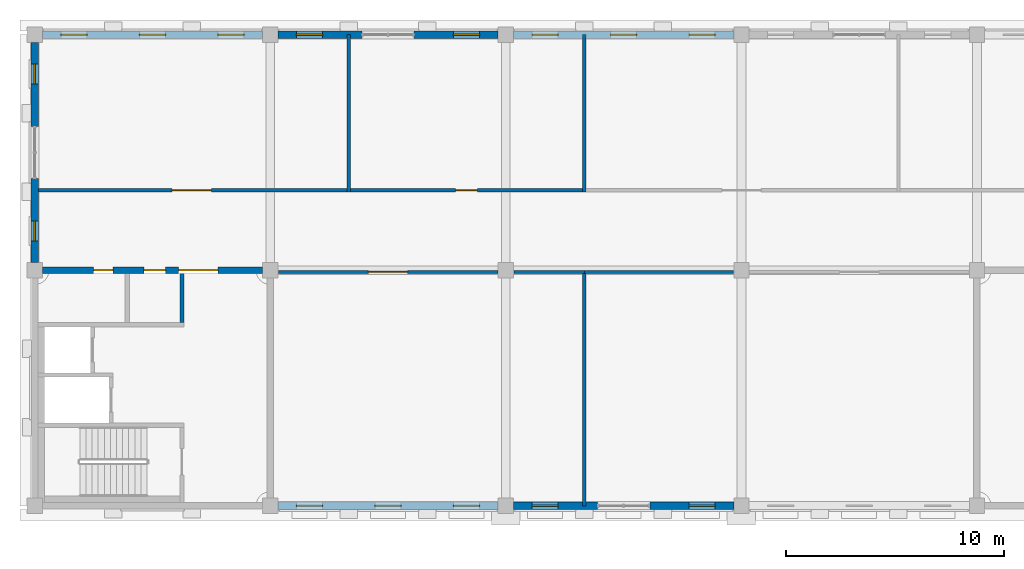
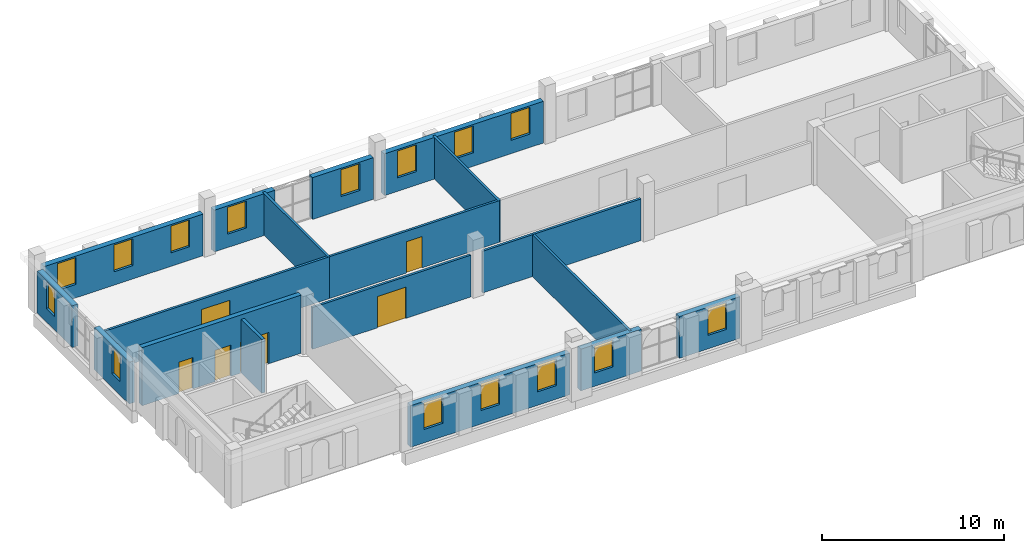
# One storey, part 8 of 17: 19 walls, 15 windows, 6 doors, 21 openings.
"""IFC4 building model written with IfcOpenShell, lengths in metres."""

import ifcopenshell
import ifcopenshell.guid

model = None  # the IFC model being written
_history = None  # IfcOwnerHistory: only IFC2X3 demands one
_inside = {}  # id of a spatial element -> (the spatial element, [elements in it])
_under = {}  # id of a project, library or spatial element -> (it, [spatial elements below it])
_declared = {}  # id of a project -> (the project, [libraries it declares])
_typed = {}  # id of a type object -> (the type object, [elements of that type])
_made_of = {}  # id of a material, layer set ... -> (it, [elements and type objects made of it])


def new_model(schema):
    """Start an empty IFC model of exactly this schema.

    Asked for "IFC4X3", IfcOpenShell would pick the latest addendum, in which some entities
    have other attributes; the version numbers below select the first issue.
    IFC2X3 requires an IfcOwnerHistory on every rooted entity: one is made here for all.
    """
    global model, _history
    if schema == "IFC4X3":
        model = ifcopenshell.file(schema_version=(4, 3, 0, 0))
    else:
        model = ifcopenshell.file(schema=schema)
    _inside.clear()
    _under.clear()
    _declared.clear()
    _typed.clear()
    _made_of.clear()
    _history = None
    if model.schema == "IFC2X3":
        org = make("IfcOrganization", Name="unknown")
        user = make(
            "IfcPersonAndOrganization",
            ThePerson=make("IfcPerson", FamilyName="unknown"),
            TheOrganization=org,
        )
        app = make(
            "IfcApplication",
            ApplicationDeveloper=org,
            Version="unknown",
            ApplicationFullName="unknown",
            ApplicationIdentifier="unknown",
        )
        _history = make(
            "IfcOwnerHistory",
            OwningUser=user,
            OwningApplication=app,
            ChangeAction="ADDED",
            CreationDate=0,
        )
    return model


def make(cls, **values):
    """One entity of the class cls with the attributes given. An attribute that is None is left unset."""
    return model.create_entity(
        cls, **{name: value for name, value in values.items() if value is not None}
    )


def rooted(cls, **values):
    """An entity with a GlobalId (a new one), such as an element, a storey or a relation."""
    return make(cls, GlobalId=ifcopenshell.guid.new(), OwnerHistory=_history, **values)


def si_unit(unit_type, name, prefix=None):
    """IfcSIUnit, for example si_unit("LENGTHUNIT", "METRE", prefix="MILLI")."""
    return make("IfcSIUnit", UnitType=unit_type, Prefix=prefix, Name=name)


def assignment(units):
    """IfcUnitAssignment: the units of a project."""
    return None if units is None else make("IfcUnitAssignment", Units=units)


def point(xyz):
    """IfcCartesianPoint."""
    return None if xyz is None else make("IfcCartesianPoint", Coordinates=xyz)


def direction(xyz):
    """IfcDirection."""
    return None if xyz is None else make("IfcDirection", DirectionRatios=xyz)


def frame(location, z_axis=None, x_axis=None):
    """IfcAxis2Placement3D, a coordinate frame: its origin and axes. An axis left out is left unset."""
    return make(
        "IfcAxis2Placement3D",
        Location=point(location),
        Axis=direction(z_axis),
        RefDirection=direction(x_axis),
    )


def frame_2d(location, x_axis=None):
    """IfcAxis2Placement2D, a coordinate frame in the plane: its origin and x axis."""
    return make(
        "IfcAxis2Placement2D", Location=point(location), RefDirection=direction(x_axis)
    )


def origin():
    """The frame at (0, 0, 0) with its axes left unset."""
    return frame((0.0, 0.0, 0.0))


def place(relative_to, where):
    """IfcLocalPlacement: puts the frame where relative to a parent placement (None: the world)."""
    return make(
        "IfcLocalPlacement", PlacementRelTo=relative_to, RelativePlacement=where
    )


def context(
    kind, dimensions, precision=None, world=None, true_north=None, identifier=None
):
    """IfcGeometricRepresentationContext, for example the 3D "Model" context."""
    return make(
        "IfcGeometricRepresentationContext",
        ContextIdentifier=identifier,
        ContextType=kind,
        CoordinateSpaceDimension=dimensions,
        Precision=precision,
        WorldCoordinateSystem=world,
        TrueNorth=true_north,
    )


def subcontext(parent, identifier, kind, view, scale=None):
    """IfcGeometricRepresentationSubContext, for example "Body" below "Model"."""
    return make(
        "IfcGeometricRepresentationSubContext",
        ContextIdentifier=identifier,
        ContextType=kind,
        ParentContext=parent,
        TargetScale=scale,
        TargetView=view,
    )


def project(units=None, contexts=None):
    """IfcProject with its units and contexts."""
    return rooted(
        "IfcProject",
        Name="project",
        RepresentationContexts=contexts,
        UnitsInContext=assignment(units),
    )


def spatial(cls, under=None, at=None, **own):
    """A site, building, storey or space (cls), placed at a placement, below another one or the project."""
    s = rooted(cls, ObjectPlacement=at, **own)
    if under is not None:
        _under.setdefault(under.id(), (under, []))[1].append(s)
    return s


def profile(cls, at=None, kind="AREA", **sizes):
    """A parametric profile (cls). Its sizes go by their IFC names, for example OverallWidth=200.0."""
    return make(cls, ProfileType=kind, Position=at, **sizes)


def rectangle(**sizes):
    """IfcRectangleProfileDef."""
    return profile("IfcRectangleProfileDef", **sizes)


def extrude(swept, where, along, depth):
    """IfcExtrudedAreaSolid: the profile swept, set in the frame where, extruded along a direction by depth."""
    return make(
        "IfcExtrudedAreaSolid",
        SweptArea=swept,
        Position=where,
        ExtrudedDirection=direction(along),
        Depth=depth,
    )


def shape(context_of_items, identifier, shape_type, items):
    """IfcShapeRepresentation: the items that make up one representation, for example the "Body"."""
    return make(
        "IfcShapeRepresentation",
        ContextOfItems=context_of_items,
        RepresentationIdentifier=identifier,
        RepresentationType=shape_type,
        Items=items,
    )


def material(Name=None, Category=None):
    """IfcMaterial."""
    return make("IfcMaterial", Name=Name, Category=Category)


def layer(
    of_material, thickness, ventilated=None, Name=None, Category=None, Priority=None
):
    """IfcMaterialLayer: one layer of a wall or slab, of a material (None: an air gap)."""
    return make(
        "IfcMaterialLayer",
        Material=of_material,
        LayerThickness=thickness,
        IsVentilated=ventilated,
        Name=Name,
        Category=Category,
        Priority=Priority,
    )


def layer_set(layers, Name=None):
    """IfcMaterialLayerSet."""
    return make("IfcMaterialLayerSet", MaterialLayers=layers, LayerSetName=Name)


def made_of(thing, what):
    """Note that an element or type object is made of a material, layer set ...; save() writes the relation."""
    if what is not None:
        _made_of.setdefault(what.id(), (what, []))[1].append(thing)
    return thing


def type_object(cls, material=None, **own):
    """A type object (cls), such as IfcWallType, which elements share."""
    return made_of(rooted(cls, **own), material)


def element(
    cls,
    number,
    at=None,
    inside=None,
    cuts=None,
    type_object=None,
    material=None,
    context=None,
    identifier="Body",
    shape_type=None,
    held_by="IfcProductDefinitionShape",
    body=None,
    shapes=None,
    **own,
):
    """One element of the class cls, such as IfcWall. Its Tag is "e" and its number.

    at: its placement. inside: the storey or other place that contains it. cuts: it is an
    opening in that element (IfcRelVoidsElement). A single representation is given by context,
    identifier, shape_type and body (its items); several are given by shapes. held_by: the class
    of the entity that holds the representations. save() writes the other relations.
    """
    e = rooted(cls, Tag="e%d" % number, ObjectPlacement=at, **own)
    if body is not None:
        shapes = [shape(context, identifier, shape_type, body)]
    if shapes is not None:
        e.Representation = make(held_by, Representations=shapes)
    if inside is not None:
        _inside.setdefault(inside.id(), (inside, []))[1].append(e)
    if cuts is not None:
        rooted(
            "IfcRelVoidsElement", RelatingBuildingElement=cuts, RelatedOpeningElement=e
        )
    if type_object is not None:
        _typed.setdefault(type_object.id(), (type_object, []))[1].append(e)
    return made_of(e, material)


def fill(opening, filler):
    """IfcRelFillsElement: the door or window that sits in an opening."""
    return rooted(
        "IfcRelFillsElement",
        RelatingOpeningElement=opening,
        RelatedBuildingElement=filler,
    )


def aggregate(whole, parts):
    """IfcRelAggregates: a whole, such as a stair, and the parts it consists of."""
    return rooted("IfcRelAggregates", RelatingObject=whole, RelatedObjects=parts)


def save(model, path):
    """Write the relations noted so far, then the file.

    IfcRelAggregates (storeys below a building ...), IfcRelContainedInSpatialStructure (elements
    in a storey), IfcRelDefinesByType, IfcRelAssociatesMaterial and IfcRelDeclares: one each for
    every whole, place, type object, material and project.
    """
    for whole, parts in _under.values():
        aggregate(whole, parts)
    for where, things in _inside.values():
        rooted(
            "IfcRelContainedInSpatialStructure",
            RelatedElements=things,
            RelatingStructure=where,
        )
    for kind, things in _typed.values():
        rooted("IfcRelDefinesByType", RelatedObjects=things, RelatingType=kind)
    for what, things in _made_of.values():
        rooted("IfcRelAssociatesMaterial", RelatedObjects=things, RelatingMaterial=what)
    for by, libraries in _declared.values():
        rooted("IfcRelDeclares", RelatingContext=by, RelatedDefinitions=libraries)
    model.write(path)


model = new_model("IFC4")

# Units and contexts
model_context = context("Model", 3, precision=1e-05, world=origin(), true_north=direction((0.0, 1.0)))
body_context = subcontext(model_context, "Body", "Model", "MODEL_VIEW")
ifc_project = project(units=[si_unit("LENGTHUNIT", "METRE"), si_unit("AREAUNIT", "SQUARE_METRE"), si_unit("VOLUMEUNIT", "CUBIC_METRE"), si_unit("PLANEANGLEUNIT", "RADIAN"), si_unit("MASSUNIT", "GRAM", prefix="KILO")], contexts=[model_context])

# Site, building, storey
site_placement = place(None, origin())
site = spatial("IfcSite", under=ifc_project, at=site_placement, CompositionType="ELEMENT")
building_placement = place(site_placement, origin())
building = spatial("IfcBuilding", under=site, at=building_placement, Name="Magnolia Steps Interchange", CompositionType="ELEMENT")
storey_placement = place(building_placement, frame((0.0, 0.0, 20.39990234375)))
storey = spatial("IfcBuildingStorey", under=building, at=storey_placement, Name="L05", CompositionType="ELEMENT", Elevation=20.39990234375)

# Wall
ifc_material_1 = material(Name="Concrete C35", Category="concrete")
ifc_layer_1 = layer(ifc_material_1, 0.199951171875)
ifc_layer_set_1 = layer_set([ifc_layer_1], Name="Core enclosure wall 200")
wall_type_1 = type_object("IfcWallType", Name="Core enclosure wall 200", PredefinedType="SOLIDWALL", material=ifc_layer_set_1)
wall_1_placement = place(storey_placement, frame((70.75, 104.800048828125, 0.0), z_axis=(0.0, 0.0, 1.0), x_axis=(0.0, 1.0, 0.0)))
element("IfcWall", 1, at=wall_1_placement, inside=storey, type_object=wall_type_1, Name="L05 OC-W enclosure wall", PredefinedType="SOLIDWALL", context=body_context, shape_type="SweptSolid", body=[
    extrude(rectangle(XDim=2.25, YDim=0.199951171875, at=frame_2d((1.125, 0.0))), origin(), (0.0, 0.0, 1.0), 3.60009765625),
])

# Wall, openings, doors
ifc_material_2 = material(Name="Concrete C40", Category="concrete")
ifc_layer_2 = layer(ifc_material_2, 0.300048828125)
ifc_layer_set_2 = layer_set([ifc_layer_2], Name="Core wall 300")
wall_type_2 = type_object("IfcWallType", Name="Core wall 300", PredefinedType="SOLIDWALL", material=ifc_layer_set_2)
wall_2_placement = place(storey_placement, frame((74.449951171875, 107.199951171875, 0.0), z_axis=(0.0, 0.0, 1.0), x_axis=(-1.0, 0.0, 0.0)))
wall_2 = element("IfcWall", 2, at=wall_2_placement, inside=storey, type_object=wall_type_2, Name="Core wall OC-W", PredefinedType="SOLIDWALL", context=body_context, shape_type="SweptSolid", body=[
    extrude(rectangle(XDim=10.099853515625, YDim=0.300048828125, at=frame_2d((5.0498046875, 0.0))), origin(), (0.0, 0.0, 1.0), 3.900146484375),
])
opening_1_placement = place(wall_2_placement, frame((2.050048828125, 0.0, 0.0)))
opening_1 = element("IfcOpeningElement", 3, at=opening_1_placement, cuts=wall_2, Name="Opening D-OC-W-L05-2", PredefinedType="OPENING", context=body_context, shape_type="SweptSolid", body=[
    extrude(rectangle(XDim=1.800048828125, YDim=2.10009765625, at=frame_2d((0.89990234375, 1.050048828125))), frame((0.0, 0.159912109375, 0.0), z_axis=(0.0, -1.0, 0.0), x_axis=(1.0, 0.0, 0.0)), (0.0, 0.0, 1.0), 0.320068359375),
])
opening_2_placement = place(wall_2_placement, frame((4.449951171875, 0.0, 0.0)))
opening_2 = element("IfcOpeningElement", 4, at=opening_2_placement, cuts=wall_2, Name="Opening D-OC-W-L05-3", PredefinedType="OPENING", context=body_context, shape_type="SweptSolid", body=[
    extrude(rectangle(XDim=1.0, YDim=2.10009765625, at=frame_2d((0.5, 1.050048828125))), frame((0.0, 0.159912109375, 0.0), z_axis=(0.0, -1.0, 0.0), x_axis=(1.0, 0.0, 0.0)), (0.0, 0.0, 1.0), 0.320068359375),
])
opening_3_placement = place(wall_2_placement, frame((6.85009765625, 0.0, 0.0)))
opening_3 = element("IfcOpeningElement", 5, at=opening_3_placement, cuts=wall_2, Name="Opening D-OC-W-L05-4", PredefinedType="OPENING", context=body_context, shape_type="SweptSolid", body=[
    extrude(rectangle(XDim=0.89990234375, YDim=2.10009765625, at=frame_2d((0.449951171875, 1.050048828125))), frame((0.0, 0.159912109375, 0.0), z_axis=(0.0, -1.0, 0.0), x_axis=(1.0, 0.0, 0.0)), (0.0, 0.0, 1.0), 0.320068359375),
])
ifc_material_3 = material(Name="Timber", Category="wood")
door_type_1 = type_object("IfcDoorType", Name="Accessible toilet door 1000x2100", OperationType="NOTDEFINED", PredefinedType="DOOR", material=ifc_material_3)
door_1_placement = place(opening_2_placement, origin())
door_1 = element("IfcDoor", 6, at=door_1_placement, inside=storey, type_object=door_type_1, Name="Accessible Toilet door OC-W L05", OperationType="SINGLE_SWING_LEFT", OverallHeight=2.10009765625, OverallWidth=1.0, PredefinedType="DOOR", context=body_context, shape_type="SweptSolid", body=[
    extrude(rectangle(XDim=1.0, YDim=2.10009765625, at=frame_2d((0.5, 1.050048828125))), frame((0.0, 0.02490234375, 0.0), z_axis=(0.0, -1.0, 0.0), x_axis=(1.0, 0.0, 0.0)), (0.0, 0.0, 1.0), 0.050048828125),
])
fill(opening_2, door_1)
ifc_material_4 = material(Name="Timber and glass", Category="wood")
door_type_2 = type_object("IfcDoorType", Name="Core entrance door pair 1800x2100", OperationType="DOUBLE_DOOR_DOUBLE_SWING", PredefinedType="DOOR", material=ifc_material_4)
door_2_placement = place(opening_1_placement, frame((1.800048828125, 0.0, 0.0), z_axis=(0.0, 0.0, 1.0), x_axis=(-1.0, 0.0, 0.0)))
door_2 = element("IfcDoor", 7, at=door_2_placement, inside=storey, type_object=door_type_2, Name="Core entrance door OC-W L05", OperationType="DOUBLE_DOOR_DOUBLE_SWING", OverallHeight=2.10009765625, OverallWidth=1.800048828125, PredefinedType="DOOR", context=body_context, shape_type="SweptSolid", body=[
    extrude(rectangle(XDim=1.800048828125, YDim=2.10009765625, at=frame_2d((0.89990234375, 1.050048828125))), frame((0.0, 0.02490234375, 0.0), z_axis=(0.0, -1.0, 0.0), x_axis=(1.0, 0.0, 0.0)), (0.0, 0.0, 1.0), 0.050048828125),
])
fill(opening_1, door_2)
ifc_material_5 = material(Name="Timber", Category="wood")
door_type_3 = type_object("IfcDoorType", Name="Toilet door 900x2100", OperationType="NOTDEFINED", PredefinedType="DOOR", material=ifc_material_5)
door_3_placement = place(opening_3_placement, origin())
door_3 = element("IfcDoor", 8, at=door_3_placement, inside=storey, type_object=door_type_3, Name="Public Toilets door OC-W L05", OperationType="SINGLE_SWING_RIGHT", OverallHeight=2.10009765625, OverallWidth=0.89990234375, PredefinedType="DOOR", context=body_context, shape_type="SweptSolid", body=[
    extrude(rectangle(XDim=0.89990234375, YDim=2.10009765625, at=frame_2d((0.449951171875, 1.050048828125))), frame((0.0, 0.02490234375, 0.0), z_axis=(0.0, -1.0, 0.0), x_axis=(1.0, 0.0, 0.0)), (0.0, 0.0, 1.0), 0.050048828125),
])
fill(opening_3, door_3)

# Wall, openings, windows
ifc_material_6 = material(Name="Lime render on masonry", Category="masonry")
ifc_layer_3 = layer(ifc_material_6, 0.35009765625)
ifc_layer_set_3 = layer_set([ifc_layer_3], Name="Lime render wall 350")
wall_type_3 = type_object("IfcWallType", Name="Lime render wall 350", PredefinedType="SOLIDWALL", material=ifc_layer_set_3)
wall_3_placement = place(storey_placement, frame((75.14990234375, 96.39990234375, 0.0), z_axis=(0.0, 0.0, 1.0), x_axis=(1.0, 0.0, 0.0)))
wall_3 = element("IfcWall", 9, at=wall_3_placement, inside=storey, type_object=wall_type_3, Name="Operations building south wall L05 pier 1", PredefinedType="SOLIDWALL", context=body_context, shape_type="SweptSolid", body=[
    extrude(rectangle(XDim=10.10009765625, YDim=0.35009765625, at=frame_2d((5.050048828125, 0.0))), origin(), (0.0, 0.0, 1.0), 2.800048828125),
])
opening_4_placement = place(wall_3_placement, frame((0.85009765625, 0.0, 0.89990234375)))
opening_4 = element("IfcOpeningElement", 10, at=opening_4_placement, cuts=wall_3, Name="Opening WN9", PredefinedType="OPENING", context=body_context, shape_type="SweptSolid", body=[
    extrude(rectangle(XDim=1.199951171875, YDim=1.800048828125, at=frame_2d((0.60009765625, 0.89990234375))), frame((0.0, 0.18505859375, 0.0), z_axis=(0.0, -1.0, 0.0), x_axis=(1.0, 0.0, 0.0)), (0.0, 0.0, 1.0), 0.3701171875),
])
opening_5_placement = place(wall_3_placement, frame((4.449951171875, 0.0, 0.89990234375)))
opening_5 = element("IfcOpeningElement", 11, at=opening_5_placement, cuts=wall_3, Name="Opening WN9", PredefinedType="OPENING", context=body_context, shape_type="SweptSolid", body=[
    extrude(rectangle(XDim=1.199951171875, YDim=1.800048828125, at=frame_2d((0.60009765625, 0.89990234375))), frame((0.0, 0.18505859375, 0.0), z_axis=(0.0, -1.0, 0.0), x_axis=(1.0, 0.0, 0.0)), (0.0, 0.0, 1.0), 0.3701171875),
])
opening_6_placement = place(wall_3_placement, frame((8.050048828125, 0.0, 0.89990234375)))
opening_6 = element("IfcOpeningElement", 12, at=opening_6_placement, cuts=wall_3, Name="Opening WN9", PredefinedType="OPENING", context=body_context, shape_type="SweptSolid", body=[
    extrude(rectangle(XDim=1.199951171875, YDim=1.800048828125, at=frame_2d((0.60009765625, 0.89990234375))), frame((0.0, 0.18505859375, 0.0), z_axis=(0.0, -1.0, 0.0), x_axis=(1.0, 0.0, 0.0)), (0.0, 0.0, 1.0), 0.3701171875),
])
ifc_material_7 = material(Name="Timber frame with double glazing", Category="wood")
window_type_1 = type_object("IfcWindowType", Name="Casement window 1200 x 1800", PartitioningType="DOUBLE_PANEL_VERTICAL", PredefinedType="WINDOW", material=ifc_material_7)
window_1_placement = place(opening_4_placement, origin())
window_1 = element("IfcWindow", 13, at=window_1_placement, inside=storey, type_object=window_type_1, Name="Window L05 south 1", OverallHeight=1.800048828125, OverallWidth=1.199951171875, PartitioningType="SINGLE_PANEL", PredefinedType="WINDOW", context=body_context, shape_type="SweptSolid", body=[
    extrude(rectangle(XDim=1.199951171875, YDim=1.800048828125, at=frame_2d((0.60009765625, 0.89990234375))), frame((0.0, 0.030029296875, 0.0), z_axis=(0.0, -1.0, 0.0), x_axis=(1.0, 0.0, 0.0)), (0.0, 0.0, 1.0), 0.06005859375),
])
fill(opening_4, window_1)
window_2_placement = place(opening_5_placement, origin())
window_2 = element("IfcWindow", 14, at=window_2_placement, inside=storey, type_object=window_type_1, Name="Window L05 south 2", OverallHeight=1.800048828125, OverallWidth=1.199951171875, PartitioningType="SINGLE_PANEL", PredefinedType="WINDOW", context=body_context, shape_type="SweptSolid", body=[
    extrude(rectangle(XDim=1.199951171875, YDim=1.800048828125, at=frame_2d((0.60009765625, 0.89990234375))), frame((0.0, 0.030029296875, 0.0), z_axis=(0.0, -1.0, 0.0), x_axis=(1.0, 0.0, 0.0)), (0.0, 0.0, 1.0), 0.06005859375),
])
fill(opening_5, window_2)
window_3_placement = place(opening_6_placement, origin())
window_3 = element("IfcWindow", 15, at=window_3_placement, inside=storey, type_object=window_type_1, Name="Window L05 south 3", OverallHeight=1.800048828125, OverallWidth=1.199951171875, PartitioningType="SINGLE_PANEL", PredefinedType="WINDOW", context=body_context, shape_type="SweptSolid", body=[
    extrude(rectangle(XDim=1.199951171875, YDim=1.800048828125, at=frame_2d((0.60009765625, 0.89990234375))), frame((0.0, 0.030029296875, 0.0), z_axis=(0.0, -1.0, 0.0), x_axis=(1.0, 0.0, 0.0)), (0.0, 0.0, 1.0), 0.06005859375),
])
fill(opening_6, window_3)

# Wall, opening, window
wall_4_placement = place(storey_placement, frame((85.949951171875, 96.39990234375, 0.0), z_axis=(0.0, 0.0, 1.0), x_axis=(1.0, 0.0, 0.0)))
wall_4 = element("IfcWall", 16, at=wall_4_placement, inside=storey, type_object=wall_type_3, Name="Operations building south wall L05 pier 1", PredefinedType="SOLIDWALL", context=body_context, shape_type="SweptSolid", body=[
    extrude(rectangle(XDim=3.85009765625, YDim=0.35009765625, at=frame_2d((1.925048828125, 0.0))), origin(), (0.0, 0.0, 1.0), 2.800048828125),
])
opening_7_placement = place(wall_4_placement, frame((0.85009765625, 0.0, 0.89990234375)))
opening_7 = element("IfcOpeningElement", 17, at=opening_7_placement, cuts=wall_4, Name="Opening WN9", PredefinedType="OPENING", context=body_context, shape_type="SweptSolid", body=[
    extrude(rectangle(XDim=1.199951171875, YDim=1.800048828125, at=frame_2d((0.60009765625, 0.89990234375))), frame((0.0, 0.18505859375, 0.0), z_axis=(0.0, -1.0, 0.0), x_axis=(1.0, 0.0, 0.0)), (0.0, 0.0, 1.0), 0.3701171875),
])
window_4_placement = place(opening_7_placement, origin())
window_4 = element("IfcWindow", 18, at=window_4_placement, inside=storey, type_object=window_type_1, Name="Window L05 south 4", OverallHeight=1.800048828125, OverallWidth=1.199951171875, PartitioningType="SINGLE_PANEL", PredefinedType="WINDOW", context=body_context, shape_type="SweptSolid", body=[
    extrude(rectangle(XDim=1.199951171875, YDim=1.800048828125, at=frame_2d((0.60009765625, 0.89990234375))), frame((0.0, 0.030029296875, 0.0), z_axis=(0.0, -1.0, 0.0), x_axis=(1.0, 0.0, 0.0)), (0.0, 0.0, 1.0), 0.06005859375),
])
fill(opening_7, window_4)

wall_5_placement = place(storey_placement, frame((92.199951171875, 96.39990234375, 0.0), z_axis=(0.0, 0.0, 1.0), x_axis=(1.0, 0.0, 0.0)))
wall_5 = element("IfcWall", 19, at=wall_5_placement, inside=storey, type_object=wall_type_3, Name="Operations building south wall L05 pier 3", PredefinedType="SOLIDWALL", context=body_context, shape_type="SweptSolid", body=[
    extrude(rectangle(XDim=3.85009765625, YDim=0.35009765625, at=frame_2d((1.925048828125, 0.0))), origin(), (0.0, 0.0, 1.0), 2.800048828125),
])
opening_8_placement = place(wall_5_placement, frame((1.800048828125, 0.0, 0.89990234375)))
opening_8 = element("IfcOpeningElement", 20, at=opening_8_placement, cuts=wall_5, Name="Opening WN9", PredefinedType="OPENING", context=body_context, shape_type="SweptSolid", body=[
    extrude(rectangle(XDim=1.199951171875, YDim=1.800048828125, at=frame_2d((0.60009765625, 0.89990234375))), frame((0.0, 0.18505859375, 0.0), z_axis=(0.0, -1.0, 0.0), x_axis=(1.0, 0.0, 0.0)), (0.0, 0.0, 1.0), 0.3701171875),
])
window_5_placement = place(opening_8_placement, origin())
window_5 = element("IfcWindow", 21, at=window_5_placement, inside=storey, type_object=window_type_1, Name="Window L05 south 6", OverallHeight=1.800048828125, OverallWidth=1.199951171875, PartitioningType="SINGLE_PANEL", PredefinedType="WINDOW", context=body_context, shape_type="SweptSolid", body=[
    extrude(rectangle(XDim=1.199951171875, YDim=1.800048828125, at=frame_2d((0.60009765625, 0.89990234375))), frame((0.0, 0.030029296875, 0.0), z_axis=(0.0, -1.0, 0.0), x_axis=(1.0, 0.0, 0.0)), (0.0, 0.0, 1.0), 0.06005859375),
])
fill(opening_8, window_5)

# Wall, openings, windows
wall_6_placement = place(storey_placement, frame((64.35009765625, 118.0, 0.0), z_axis=(0.0, 0.0, 1.0), x_axis=(1.0, 0.0, 0.0)))
wall_6 = element("IfcWall", 22, at=wall_6_placement, inside=storey, type_object=wall_type_3, Name="Operations building north wall L05 pier 1", PredefinedType="SOLIDWALL", context=body_context, shape_type="SweptSolid", body=[
    extrude(rectangle(XDim=10.099853515625, YDim=0.35009765625, at=frame_2d((5.0498046875, 0.0))), origin(), (0.0, 0.0, 1.0), 2.800048828125),
])
opening_9_placement = place(wall_6_placement, frame((0.85009765625, 0.0, 0.89990234375)))
opening_9 = element("IfcOpeningElement", 23, at=opening_9_placement, cuts=wall_6, Name="Opening WN9", PredefinedType="OPENING", context=body_context, shape_type="SweptSolid", body=[
    extrude(rectangle(XDim=1.199951171875, YDim=1.800048828125, at=frame_2d((0.60009765625, 0.89990234375))), frame((0.0, 0.18505859375, 0.0), z_axis=(0.0, -1.0, 0.0), x_axis=(1.0, 0.0, 0.0)), (0.0, 0.0, 1.0), 0.3701171875),
])
opening_10_placement = place(wall_6_placement, frame((4.449951171875, 0.0, 0.89990234375)))
opening_10 = element("IfcOpeningElement", 24, at=opening_10_placement, cuts=wall_6, Name="Opening WN9", PredefinedType="OPENING", context=body_context, shape_type="SweptSolid", body=[
    extrude(rectangle(XDim=1.199951171875, YDim=1.800048828125, at=frame_2d((0.60009765625, 0.89990234375))), frame((0.0, 0.18505859375, 0.0), z_axis=(0.0, -1.0, 0.0), x_axis=(1.0, 0.0, 0.0)), (0.0, 0.0, 1.0), 0.3701171875),
])
opening_11_placement = place(wall_6_placement, frame((8.050048828125, 0.0, 0.89990234375)))
opening_11 = element("IfcOpeningElement", 25, at=opening_11_placement, cuts=wall_6, Name="Opening WN9", PredefinedType="OPENING", context=body_context, shape_type="SweptSolid", body=[
    extrude(rectangle(XDim=1.199951171875, YDim=1.800048828125, at=frame_2d((0.60009765625, 0.89990234375))), frame((0.0, 0.18505859375, 0.0), z_axis=(0.0, -1.0, 0.0), x_axis=(1.0, 0.0, 0.0)), (0.0, 0.0, 1.0), 0.3701171875),
])
window_6_placement = place(opening_9_placement, origin())
window_6 = element("IfcWindow", 26, at=window_6_placement, inside=storey, type_object=window_type_1, Name="Window L05 north 1", OverallHeight=1.800048828125, OverallWidth=1.199951171875, PartitioningType="SINGLE_PANEL", PredefinedType="WINDOW", context=body_context, shape_type="SweptSolid", body=[
    extrude(rectangle(XDim=1.199951171875, YDim=1.800048828125, at=frame_2d((0.60009765625, 0.89990234375))), frame((0.0, 0.030029296875, 0.0), z_axis=(0.0, -1.0, 0.0), x_axis=(1.0, 0.0, 0.0)), (0.0, 0.0, 1.0), 0.06005859375),
])
fill(opening_9, window_6)
window_7_placement = place(opening_10_placement, origin())
window_7 = element("IfcWindow", 27, at=window_7_placement, inside=storey, type_object=window_type_1, Name="Window L05 north 2", OverallHeight=1.800048828125, OverallWidth=1.199951171875, PartitioningType="SINGLE_PANEL", PredefinedType="WINDOW", context=body_context, shape_type="SweptSolid", body=[
    extrude(rectangle(XDim=1.199951171875, YDim=1.800048828125, at=frame_2d((0.60009765625, 0.89990234375))), frame((0.0, 0.030029296875, 0.0), z_axis=(0.0, -1.0, 0.0), x_axis=(1.0, 0.0, 0.0)), (0.0, 0.0, 1.0), 0.06005859375),
])
fill(opening_10, window_7)
window_8_placement = place(opening_11_placement, origin())
window_8 = element("IfcWindow", 28, at=window_8_placement, inside=storey, type_object=window_type_1, Name="Window L05 north 3", OverallHeight=1.800048828125, OverallWidth=1.199951171875, PartitioningType="SINGLE_PANEL", PredefinedType="WINDOW", context=body_context, shape_type="SweptSolid", body=[
    extrude(rectangle(XDim=1.199951171875, YDim=1.800048828125, at=frame_2d((0.60009765625, 0.89990234375))), frame((0.0, 0.030029296875, 0.0), z_axis=(0.0, -1.0, 0.0), x_axis=(1.0, 0.0, 0.0)), (0.0, 0.0, 1.0), 0.06005859375),
])
fill(opening_11, window_8)

# Wall, opening, window
wall_7_placement = place(storey_placement, frame((75.14990234375, 118.0, 0.0), z_axis=(0.0, 0.0, 1.0), x_axis=(1.0, 0.0, 0.0)))
wall_7 = element("IfcWall", 29, at=wall_7_placement, inside=storey, type_object=wall_type_3, Name="Operations building north wall L05 pier 1", PredefinedType="SOLIDWALL", context=body_context, shape_type="SweptSolid", body=[
    extrude(rectangle(XDim=3.85009765625, YDim=0.35009765625, at=frame_2d((1.925048828125, 0.0))), origin(), (0.0, 0.0, 1.0), 2.800048828125),
])
opening_12_placement = place(wall_7_placement, frame((0.85009765625, 0.0, 0.89990234375)))
opening_12 = element("IfcOpeningElement", 30, at=opening_12_placement, cuts=wall_7, Name="Opening WN9", PredefinedType="OPENING", context=body_context, shape_type="SweptSolid", body=[
    extrude(rectangle(XDim=1.199951171875, YDim=1.800048828125, at=frame_2d((0.60009765625, 0.89990234375))), frame((0.0, 0.18505859375, 0.0), z_axis=(0.0, -1.0, 0.0), x_axis=(1.0, 0.0, 0.0)), (0.0, 0.0, 1.0), 0.3701171875),
])
window_9_placement = place(opening_12_placement, origin())
window_9 = element("IfcWindow", 31, at=window_9_placement, inside=storey, type_object=window_type_1, Name="Window L05 north 4", OverallHeight=1.800048828125, OverallWidth=1.199951171875, PartitioningType="SINGLE_PANEL", PredefinedType="WINDOW", context=body_context, shape_type="SweptSolid", body=[
    extrude(rectangle(XDim=1.199951171875, YDim=1.800048828125, at=frame_2d((0.60009765625, 0.89990234375))), frame((0.0, 0.030029296875, 0.0), z_axis=(0.0, -1.0, 0.0), x_axis=(1.0, 0.0, 0.0)), (0.0, 0.0, 1.0), 0.06005859375),
])
fill(opening_12, window_9)

wall_8_placement = place(storey_placement, frame((81.39990234375, 118.0, 0.0), z_axis=(0.0, 0.0, 1.0), x_axis=(1.0, 0.0, 0.0)))
wall_8 = element("IfcWall", 32, at=wall_8_placement, inside=storey, type_object=wall_type_3, Name="Operations building north wall L05 pier 3", PredefinedType="SOLIDWALL", context=body_context, shape_type="SweptSolid", body=[
    extrude(rectangle(XDim=3.85009765625, YDim=0.35009765625, at=frame_2d((1.925048828125, 0.0))), origin(), (0.0, 0.0, 1.0), 2.800048828125),
])
opening_13_placement = place(wall_8_placement, frame((1.800048828125, 0.0, 0.89990234375)))
opening_13 = element("IfcOpeningElement", 33, at=opening_13_placement, cuts=wall_8, Name="Opening WN9", PredefinedType="OPENING", context=body_context, shape_type="SweptSolid", body=[
    extrude(rectangle(XDim=1.199951171875, YDim=1.800048828125, at=frame_2d((0.60009765625, 0.89990234375))), frame((0.0, 0.18505859375, 0.0), z_axis=(0.0, -1.0, 0.0), x_axis=(1.0, 0.0, 0.0)), (0.0, 0.0, 1.0), 0.3701171875),
])
window_10_placement = place(opening_13_placement, origin())
window_10 = element("IfcWindow", 34, at=window_10_placement, inside=storey, type_object=window_type_1, Name="Window L05 north 6", OverallHeight=1.800048828125, OverallWidth=1.199951171875, PartitioningType="SINGLE_PANEL", PredefinedType="WINDOW", context=body_context, shape_type="SweptSolid", body=[
    extrude(rectangle(XDim=1.199951171875, YDim=1.800048828125, at=frame_2d((0.60009765625, 0.89990234375))), frame((0.0, 0.030029296875, 0.0), z_axis=(0.0, -1.0, 0.0), x_axis=(1.0, 0.0, 0.0)), (0.0, 0.0, 1.0), 0.06005859375),
])
fill(opening_13, window_10)

# Wall, openings, windows
wall_9_placement = place(storey_placement, frame((85.949951171875, 118.0, 0.0), z_axis=(0.0, 0.0, 1.0), x_axis=(1.0, 0.0, 0.0)))
wall_9 = element("IfcWall", 35, at=wall_9_placement, inside=storey, type_object=wall_type_3, Name="Operations building north wall L05 pier 3", PredefinedType="SOLIDWALL", context=body_context, shape_type="SweptSolid", body=[
    extrude(rectangle(XDim=10.10009765625, YDim=0.35009765625, at=frame_2d((5.050048828125, 0.0))), origin(), (0.0, 0.0, 1.0), 2.800048828125),
])
opening_14_placement = place(wall_9_placement, frame((0.85009765625, 0.0, 0.89990234375)))
opening_14 = element("IfcOpeningElement", 36, at=opening_14_placement, cuts=wall_9, Name="Opening WN9", PredefinedType="OPENING", context=body_context, shape_type="SweptSolid", body=[
    extrude(rectangle(XDim=1.199951171875, YDim=1.800048828125, at=frame_2d((0.60009765625, 0.89990234375))), frame((0.0, 0.18505859375, 0.0), z_axis=(0.0, -1.0, 0.0), x_axis=(1.0, 0.0, 0.0)), (0.0, 0.0, 1.0), 0.3701171875),
])
opening_15_placement = place(wall_9_placement, frame((4.449951171875, 0.0, 0.89990234375)))
opening_15 = element("IfcOpeningElement", 37, at=opening_15_placement, cuts=wall_9, Name="Opening WN9", PredefinedType="OPENING", context=body_context, shape_type="SweptSolid", body=[
    extrude(rectangle(XDim=1.199951171875, YDim=1.800048828125, at=frame_2d((0.60009765625, 0.89990234375))), frame((0.0, 0.18505859375, 0.0), z_axis=(0.0, -1.0, 0.0), x_axis=(1.0, 0.0, 0.0)), (0.0, 0.0, 1.0), 0.3701171875),
])
opening_16_placement = place(wall_9_placement, frame((8.050048828125, 0.0, 0.89990234375)))
opening_16 = element("IfcOpeningElement", 38, at=opening_16_placement, cuts=wall_9, Name="Opening WN9", PredefinedType="OPENING", context=body_context, shape_type="SweptSolid", body=[
    extrude(rectangle(XDim=1.199951171875, YDim=1.800048828125, at=frame_2d((0.60009765625, 0.89990234375))), frame((0.0, 0.18505859375, 0.0), z_axis=(0.0, -1.0, 0.0), x_axis=(1.0, 0.0, 0.0)), (0.0, 0.0, 1.0), 0.3701171875),
])
window_11_placement = place(opening_14_placement, origin())
window_11 = element("IfcWindow", 39, at=window_11_placement, inside=storey, type_object=window_type_1, Name="Window L05 north 7", OverallHeight=1.800048828125, OverallWidth=1.199951171875, PartitioningType="SINGLE_PANEL", PredefinedType="WINDOW", context=body_context, shape_type="SweptSolid", body=[
    extrude(rectangle(XDim=1.199951171875, YDim=1.800048828125, at=frame_2d((0.60009765625, 0.89990234375))), frame((0.0, 0.030029296875, 0.0), z_axis=(0.0, -1.0, 0.0), x_axis=(1.0, 0.0, 0.0)), (0.0, 0.0, 1.0), 0.06005859375),
])
fill(opening_14, window_11)
window_12_placement = place(opening_15_placement, origin())
window_12 = element("IfcWindow", 40, at=window_12_placement, inside=storey, type_object=window_type_1, Name="Window L05 north 8", OverallHeight=1.800048828125, OverallWidth=1.199951171875, PartitioningType="SINGLE_PANEL", PredefinedType="WINDOW", context=body_context, shape_type="SweptSolid", body=[
    extrude(rectangle(XDim=1.199951171875, YDim=1.800048828125, at=frame_2d((0.60009765625, 0.89990234375))), frame((0.0, 0.030029296875, 0.0), z_axis=(0.0, -1.0, 0.0), x_axis=(1.0, 0.0, 0.0)), (0.0, 0.0, 1.0), 0.06005859375),
])
fill(opening_15, window_12)
window_13_placement = place(opening_16_placement, origin())
window_13 = element("IfcWindow", 41, at=window_13_placement, inside=storey, type_object=window_type_1, Name="Window L05 north 9", OverallHeight=1.800048828125, OverallWidth=1.199951171875, PartitioningType="SINGLE_PANEL", PredefinedType="WINDOW", context=body_context, shape_type="SweptSolid", body=[
    extrude(rectangle(XDim=1.199951171875, YDim=1.800048828125, at=frame_2d((0.60009765625, 0.89990234375))), frame((0.0, 0.030029296875, 0.0), z_axis=(0.0, -1.0, 0.0), x_axis=(1.0, 0.0, 0.0)), (0.0, 0.0, 1.0), 0.06005859375),
])
fill(opening_16, window_13)

# Wall, opening, window
wall_10_placement = place(storey_placement, frame((64.0, 107.550048828125, 0.0), z_axis=(0.0, 0.0, 1.0), x_axis=(0.0, 1.0, 0.0)))
wall_10 = element("IfcWall", 42, at=wall_10_placement, inside=storey, type_object=wall_type_3, Name="Operations building west wall L05 pier 1", PredefinedType="SOLIDWALL", context=body_context, shape_type="SweptSolid", body=[
    extrude(rectangle(XDim=3.849853515625, YDim=0.35009765625, at=frame_2d((1.9248046875, 0.0))), origin(), (0.0, 0.0, 1.0), 2.800048828125),
])
opening_17_placement = place(wall_10_placement, frame((1.0, 0.0, 0.89990234375)))
opening_17 = element("IfcOpeningElement", 43, at=opening_17_placement, cuts=wall_10, Name="Opening WN11", PredefinedType="OPENING", context=body_context, shape_type="SweptSolid", body=[
    extrude(rectangle(XDim=0.89990234375, YDim=1.800048828125, at=frame_2d((0.449951171875, 0.89990234375))), frame((0.0, 0.18505859375, 0.0), z_axis=(0.0, -1.0, 0.0), x_axis=(1.0, 0.0, 0.0)), (0.0, 0.0, 1.0), 0.3701171875),
])
ifc_material_8 = material(Name="Timber frame with double glazing", Category="wood")
window_type_2 = type_object("IfcWindowType", Name="Gable end window 900 x 1800", PartitioningType="SINGLE_PANEL", PredefinedType="WINDOW", material=ifc_material_8)
window_14_placement = place(opening_17_placement, origin())
window_14 = element("IfcWindow", 44, at=window_14_placement, inside=storey, type_object=window_type_2, Name="Window L05 west 1", OverallHeight=1.800048828125, OverallWidth=0.89990234375, PartitioningType="SINGLE_PANEL", PredefinedType="WINDOW", context=body_context, shape_type="SweptSolid", body=[
    extrude(rectangle(XDim=0.89990234375, YDim=1.800048828125, at=frame_2d((0.449951171875, 0.89990234375))), frame((0.0, 0.030029296875, 0.0), z_axis=(0.0, -1.0, 0.0), x_axis=(1.0, 0.0, 0.0)), (0.0, 0.0, 1.0), 0.06005859375),
])
fill(opening_17, window_14)

wall_11_placement = place(storey_placement, frame((64.0, 113.800048828125, 0.0), z_axis=(0.0, 0.0, 1.0), x_axis=(0.0, 1.0, 0.0)))
wall_11 = element("IfcWall", 45, at=wall_11_placement, inside=storey, type_object=wall_type_3, Name="Operations building west wall L05 pier 3", PredefinedType="SOLIDWALL", context=body_context, shape_type="SweptSolid", body=[
    extrude(rectangle(XDim=3.849853515625, YDim=0.35009765625, at=frame_2d((1.9248046875, 0.0))), origin(), (0.0, 0.0, 1.0), 2.800048828125),
])
opening_18_placement = place(wall_11_placement, frame((1.949951171875, 0.0, 0.89990234375)))
opening_18 = element("IfcOpeningElement", 46, at=opening_18_placement, cuts=wall_11, Name="Opening WN11", PredefinedType="OPENING", context=body_context, shape_type="SweptSolid", body=[
    extrude(rectangle(XDim=0.89990234375, YDim=1.800048828125, at=frame_2d((0.449951171875, 0.89990234375))), frame((0.0, 0.18505859375, 0.0), z_axis=(0.0, -1.0, 0.0), x_axis=(1.0, 0.0, 0.0)), (0.0, 0.0, 1.0), 0.3701171875),
])
window_15_placement = place(opening_18_placement, origin())
window_15 = element("IfcWindow", 47, at=window_15_placement, inside=storey, type_object=window_type_2, Name="Window L05 west 3", OverallHeight=1.800048828125, OverallWidth=0.89990234375, PartitioningType="SINGLE_PANEL", PredefinedType="WINDOW", context=body_context, shape_type="SweptSolid", body=[
    extrude(rectangle(XDim=0.89990234375, YDim=1.800048828125, at=frame_2d((0.449951171875, 0.89990234375))), frame((0.0, 0.030029296875, 0.0), z_axis=(0.0, -1.0, 0.0), x_axis=(1.0, 0.0, 0.0)), (0.0, 0.0, 1.0), 0.06005859375),
])
fill(opening_18, window_15)

# Wall
ifc_material_9 = material(Name="Fair-faced blockwork", Category="masonry")
ifc_layer_4 = layer(ifc_material_9, 0.14990234375)
ifc_layer_set_4 = layer_set([ifc_layer_4], Name="Partition wall 150")
wall_type_4 = type_object("IfcWallType", Name="Partition wall 150", PredefinedType="PARTITIONING", material=ifc_layer_set_4)
wall_12_placement = place(storey_placement, frame((85.969970703125, 107.125, 0.0), z_axis=(0.0, 0.0, 1.0), x_axis=(1.0, 0.0, 0.0)))
element("IfcWall", 48, at=wall_12_placement, inside=storey, type_object=wall_type_4, Name="L05 partition 1", PredefinedType="PARTITIONING", context=body_context, shape_type="SweptSolid", body=[
    extrude(rectangle(XDim=3.22998046875, YDim=0.14990234375, at=frame_2d((1.614990234375, 0.0))), origin(), (0.0, 0.0, 1.0), 2.800048828125),
])

# Wall, opening, door
wall_13_placement = place(storey_placement, frame((75.169921875, 107.125, 0.0), z_axis=(0.0, 0.0, 1.0), x_axis=(1.0, 0.0, 0.0)))
wall_13 = element("IfcWall", 49, at=wall_13_placement, inside=storey, type_object=wall_type_4, Name="L05 partition 2", PredefinedType="PARTITIONING", context=body_context, shape_type="SweptSolid", body=[
    extrude(rectangle(XDim=10.06005859375, YDim=0.14990234375, at=frame_2d((5.030029296875, 0.0))), origin(), (0.0, 0.0, 1.0), 2.800048828125),
])
opening_19_placement = place(wall_13_placement, frame((4.1298828125, 0.0, 0.0)))
opening_19 = element("IfcOpeningElement", 50, at=opening_19_placement, cuts=wall_13, Name="Opening D-L05-1", PredefinedType="OPENING", context=body_context, shape_type="SweptSolid", body=[
    extrude(rectangle(XDim=1.800048828125, YDim=2.10009765625, at=frame_2d((0.89990234375, 1.050048828125))), frame((0.0, 0.0849609375, 0.0), z_axis=(0.0, -1.0, 0.0), x_axis=(1.0, 0.0, 0.0)), (0.0, 0.0, 1.0), 0.169921875),
])
ifc_material_10 = material(Name="Timber", Category="wood")
door_type_4 = type_object("IfcDoorType", Name="Room door pair 1800x2100", OperationType="DOUBLE_DOOR_DOUBLE_SWING", PredefinedType="DOOR", material=ifc_material_10)
door_4_placement = place(opening_19_placement, origin())
door_4 = element("IfcDoor", 51, at=door_4_placement, inside=storey, type_object=door_type_4, Name="Training Room 3 door", OperationType="DOUBLE_DOOR_DOUBLE_SWING", OverallHeight=2.10009765625, OverallWidth=1.800048828125, PredefinedType="DOOR", context=body_context, shape_type="SweptSolid", body=[
    extrude(rectangle(XDim=1.800048828125, YDim=2.10009765625, at=frame_2d((0.89990234375, 1.050048828125))), frame((0.0, 0.02490234375, 0.0), z_axis=(0.0, -1.0, 0.0), x_axis=(1.0, 0.0, 0.0)), (0.0, 0.0, 1.0), 0.050048828125),
])
fill(opening_19, door_4)

# Wall
wall_14_placement = place(storey_placement, frame((89.199951171875, 107.125, 0.0), z_axis=(0.0, 0.0, 1.0), x_axis=(1.0, 0.0, 0.0)))
element("IfcWall", 52, at=wall_14_placement, inside=storey, type_object=wall_type_4, Name="L05 partition 4", PredefinedType="PARTITIONING", context=body_context, shape_type="SweptSolid", body=[
    extrude(rectangle(XDim=6.830078125, YDim=0.14990234375, at=frame_2d((3.4150390625, 0.0))), origin(), (0.0, 0.0, 1.0), 2.800048828125),
])

# Wall, opening, door
wall_15_placement = place(storey_placement, frame((64.0, 110.875, 0.0), z_axis=(0.0, 0.0, 1.0), x_axis=(1.0, 0.0, 0.0)))
wall_15 = element("IfcWall", 53, at=wall_15_placement, inside=storey, type_object=wall_type_4, Name="L05 partition 5", PredefinedType="PARTITIONING", context=body_context, shape_type="SweptSolid", body=[
    extrude(rectangle(XDim=14.39990234375, YDim=0.14990234375, at=frame_2d((7.199951171875, 0.0))), origin(), (0.0, 0.0, 1.0), 2.800048828125),
])
opening_20_placement = place(wall_15_placement, frame((6.300048828125, 0.0, 0.0)))
opening_20 = element("IfcOpeningElement", 54, at=opening_20_placement, cuts=wall_15, Name="Opening D-L05-3", PredefinedType="OPENING", context=body_context, shape_type="SweptSolid", body=[
    extrude(rectangle(XDim=1.800048828125, YDim=2.10009765625, at=frame_2d((0.89990234375, 1.050048828125))), frame((0.0, 0.0849609375, 0.0), z_axis=(0.0, -1.0, 0.0), x_axis=(1.0, 0.0, 0.0)), (0.0, 0.0, 1.0), 0.169921875),
])
door_5_placement = place(opening_20_placement, origin())
door_5 = element("IfcDoor", 55, at=door_5_placement, inside=storey, type_object=door_type_4, Name="Executive Office door", OperationType="DOUBLE_DOOR_DOUBLE_SWING", OverallHeight=2.10009765625, OverallWidth=1.800048828125, PredefinedType="DOOR", context=body_context, shape_type="SweptSolid", body=[
    extrude(rectangle(XDim=1.800048828125, YDim=2.10009765625, at=frame_2d((0.89990234375, 1.050048828125))), frame((0.0, 0.02490234375, 0.0), z_axis=(0.0, -1.0, 0.0), x_axis=(1.0, 0.0, 0.0)), (0.0, 0.0, 1.0), 0.050048828125),
])
fill(opening_20, door_5)

wall_16_placement = place(storey_placement, frame((78.39990234375, 110.875, 0.0), z_axis=(0.0, 0.0, 1.0), x_axis=(1.0, 0.0, 0.0)))
wall_16 = element("IfcWall", 56, at=wall_16_placement, inside=storey, type_object=wall_type_4, Name="L05 partition 6", PredefinedType="PARTITIONING", context=body_context, shape_type="SweptSolid", body=[
    extrude(rectangle(XDim=10.800048828125, YDim=0.14990234375, at=frame_2d((5.39990234375, 0.0))), origin(), (0.0, 0.0, 1.0), 2.800048828125),
])
opening_21_placement = place(wall_16_placement, frame((4.89990234375, 0.0, 0.0)))
opening_21 = element("IfcOpeningElement", 57, at=opening_21_placement, cuts=wall_16, Name="Opening D-L05-4", PredefinedType="OPENING", context=body_context, shape_type="SweptSolid", body=[
    extrude(rectangle(XDim=1.0, YDim=2.10009765625, at=frame_2d((0.5, 1.050048828125))), frame((0.0, 0.0849609375, 0.0), z_axis=(0.0, -1.0, 0.0), x_axis=(1.0, 0.0, 0.0)), (0.0, 0.0, 1.0), 0.169921875),
])
ifc_material_11 = material(Name="Timber", Category="wood")
door_type_5 = type_object("IfcDoorType", Name="Room door 1000x2100", OperationType="NOTDEFINED", PredefinedType="DOOR", material=ifc_material_11)
door_6_placement = place(opening_21_placement, origin())
door_6 = element("IfcDoor", 58, at=door_6_placement, inside=storey, type_object=door_type_5, Name="Executive Assistants Office door", OperationType="SINGLE_SWING_RIGHT", OverallHeight=2.10009765625, OverallWidth=1.0, PredefinedType="DOOR", context=body_context, shape_type="SweptSolid", body=[
    extrude(rectangle(XDim=1.0, YDim=2.10009765625, at=frame_2d((0.5, 1.050048828125))), frame((0.0, 0.02490234375, 0.0), z_axis=(0.0, -1.0, 0.0), x_axis=(1.0, 0.0, 0.0)), (0.0, 0.0, 1.0), 0.050048828125),
])
fill(opening_21, door_6)

# Walls
wall_17_placement = place(storey_placement, frame((89.199951171875, 96.39990234375, 0.0), z_axis=(0.0, 0.0, 1.0), x_axis=(0.0, 1.0, 0.0)))
element("IfcWall", 59, at=wall_17_placement, inside=storey, type_object=wall_type_4, Name="L05 partition 9", PredefinedType="PARTITIONING", context=body_context, shape_type="SweptSolid", body=[
    extrude(rectangle(XDim=10.800048828125, YDim=0.14990234375, at=frame_2d((5.39990234375, 0.0))), origin(), (0.0, 0.0, 1.0), 2.800048828125),
])
for number, where, z_axis, x_axis, name in (
    (60, (78.39990234375, 110.800048828125, 0.0), (0.0, 0.0, 1.0), (0.0, 1.0, 0.0), "L05 partition 10"),
    (61, (89.199951171875, 110.800048828125, 0.0), (0.0, 0.0, 1.0), (0.0, 1.0, 0.0), "L05 partition 11"),
):
    element("IfcWall", number, at=place(storey_placement, frame(where, z_axis=z_axis, x_axis=x_axis)), inside=storey, type_object=wall_type_4, Name=name, PredefinedType="PARTITIONING", context=body_context, shape_type="SweptSolid", body=[
        extrude(rectangle(XDim=7.199951171875, YDim=0.14990234375, at=frame_2d((3.60009765625, 0.0))), origin(), (0.0, 0.0, 1.0), 2.800048828125),
    ])

save(model, "model.ifc")
